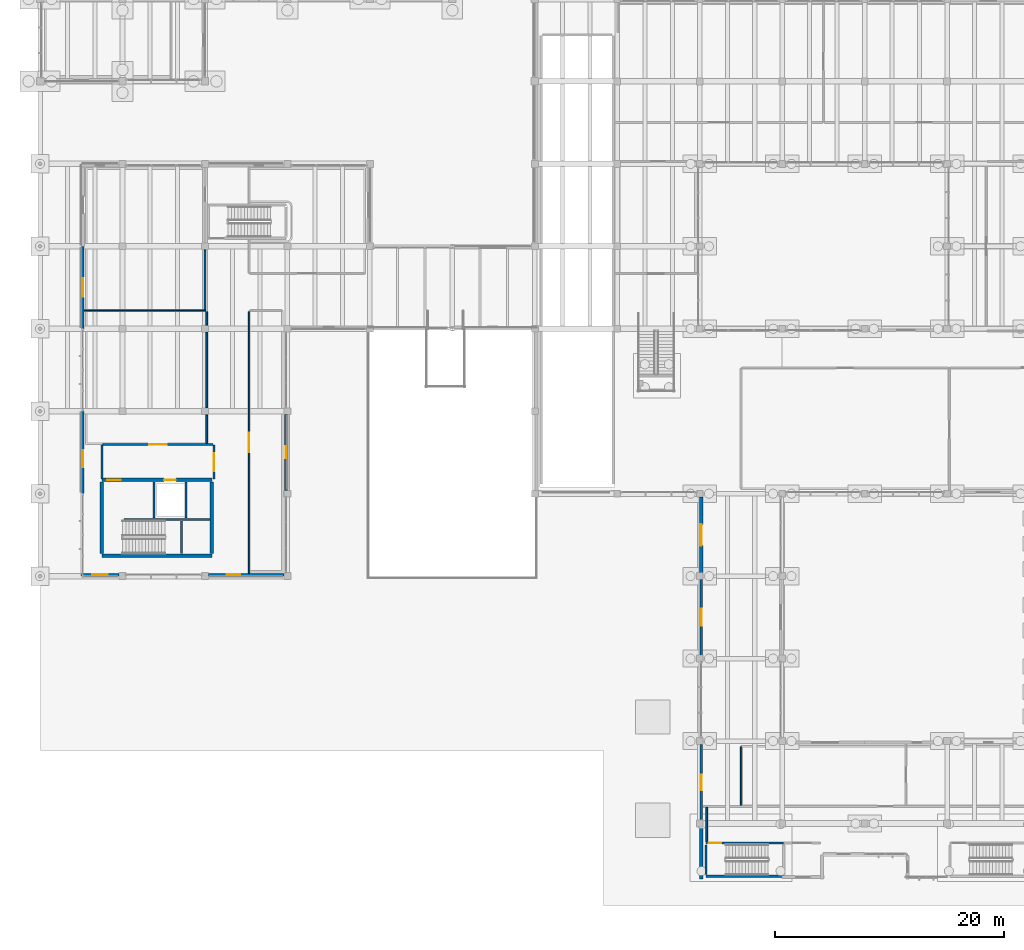
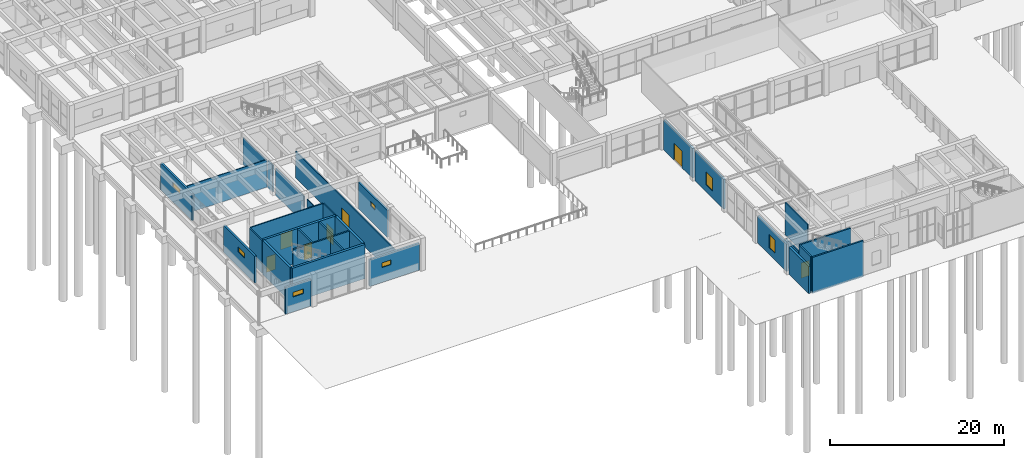
# One storey, part 117 of 155: 31 walls, 7 doors, 7 windows, 14 openings.
"""IFC4 building model written with IfcOpenShell, lengths in metres."""

from ifc_helpers import new_model, si_unit, direction, frame, frame_2d, origin, place, context, subcontext, project, spatial, rectangle, extrude, material, layer, layer_set, type_object, element, fill, save


model = new_model("IFC4")

# Units and contexts
model_context = context("Model", 3, precision=1e-05, world=origin(), true_north=direction((0.0, 1.0)))
body_context = subcontext(model_context, "Body", "Model", "MODEL_VIEW")
ifc_project = project(units=[si_unit("LENGTHUNIT", "METRE"), si_unit("AREAUNIT", "SQUARE_METRE"), si_unit("VOLUMEUNIT", "CUBIC_METRE"), si_unit("PLANEANGLEUNIT", "RADIAN"), si_unit("MASSUNIT", "GRAM", prefix="KILO")], contexts=[model_context])

# Site, building, storey
site_placement = place(None, origin())
site = spatial("IfcSite", under=ifc_project, at=site_placement, CompositionType="ELEMENT")
building_placement = place(site_placement, origin())
building = spatial("IfcBuilding", under=site, at=building_placement, Name="Bramvelor Terrace Health Centre", CompositionType="ELEMENT")
storey_placement = place(building_placement, origin())
storey = spatial("IfcBuildingStorey", under=building, at=storey_placement, Name="L01", CompositionType="ELEMENT", Elevation=0.0)

# Walls
ifc_material_1 = material(Name="Acoustic clinical partition board", Category="gypsum")
ifc_layer_1 = layer(ifc_material_1, 0.110107421875)
ifc_layer_set_1 = layer_set([ifc_layer_1], Name="Acoustic clinical partition board")
wall_type_1 = type_object("IfcWallType", Name="WL-CLN-110", PredefinedType="PARTITIONING", material=ifc_layer_set_1)
wall_1_placement = place(storey_placement, frame((3.864990234375, 51.989990234375, 0.0), z_axis=(0.0, 0.0, 1.0), x_axis=(1.0, 0.0, 0.0)))
element("IfcWall", 1, at=wall_1_placement, inside=storey, type_object=wall_type_1, Name="L01 Interior Partition 129", PredefinedType="PARTITIONING", context=body_context, shape_type="SweptSolid", body=[
    extrude(rectangle(XDim=10.60302734375, YDim=0.110107421875, at=frame_2d((5.301513671875, 0.0))), origin(), (0.0, 0.0, 1.0), 3.860107421875),
])
ifc_material_2 = material(Name="Fire-rated gypsum and mineral wool", Category="gypsum")
ifc_layer_2 = layer(ifc_material_2, 0.139892578125)
ifc_layer_set_2 = layer_set([ifc_layer_2], Name="Fire-rated gypsum and mineral wool")
wall_type_2 = type_object("IfcWallType", Name="WL-COR-140", PredefinedType="PARTITIONING", material=ifc_layer_set_2)
wall_2_placement = place(storey_placement, frame((61.2099609375, 8.793212890625, 0.0), z_axis=(0.0, 0.0, 1.0), x_axis=(0.0, 1.0, 0.0)))
element("IfcWall", 2, at=wall_2_placement, inside=storey, type_object=wall_type_2, Name="L01 Interior Partition 104", PredefinedType="PARTITIONING", context=body_context, shape_type="SweptSolid", body=[
    extrude(rectangle(XDim=5.11669921875, YDim=0.139892578125, at=frame_2d((2.558349609375, 0.0))), origin(), (0.0, 0.0, 1.0), 4.570068359375),
])
wall_3_placement = place(storey_placement, frame((14.55810546875, 51.89990234375, 0.0), z_axis=(0.0, 0.0, 1.0), x_axis=(0.0, -1.0, 0.0)))
element("IfcWall", 3, at=wall_3_placement, inside=storey, type_object=wall_type_2, Name="L01 Interior Partition 130", PredefinedType="PARTITIONING", context=body_context, shape_type="SweptSolid", body=[
    extrude(rectangle(XDim=1.184814453125, YDim=0.139892578125, at=frame_2d((0.59228515625, 0.0))), origin(), (0.0, 0.0, 1.0), 3.760009765625),
])
wall_4_placement = place(storey_placement, frame((14.55810546875, 50.0849609375, 0.0), z_axis=(0.0, 0.0, 1.0), x_axis=(0.0, -1.0, 0.0)))
element("IfcWall", 4, at=wall_4_placement, inside=storey, type_object=wall_type_2, Name="L01 Interior Partition 131", PredefinedType="PARTITIONING", context=body_context, shape_type="SweptSolid", body=[
    extrude(rectangle(XDim=6.570068359375, YDim=0.139892578125, at=frame_2d((3.28515625, 0.0))), origin(), (0.0, 0.0, 1.0), 3.760009765625),
])
wall_5_placement = place(storey_placement, frame((14.55810546875, 42.885009765625, 0.0), z_axis=(0.0, 0.0, 1.0), x_axis=(0.0, -1.0, 0.0)))
element("IfcWall", 5, at=wall_5_placement, inside=storey, type_object=wall_type_2, Name="L01 Interior Partition 132", PredefinedType="PARTITIONING", context=body_context, shape_type="SweptSolid", body=[
    extrude(rectangle(XDim=2.485107421875, YDim=0.139892578125, at=frame_2d((1.24267578125, 0.0))), origin(), (0.0, 0.0, 1.0), 3.760009765625),
])
wall_6_placement = place(storey_placement, frame((14.39990234375, 57.284912109375, 0.0), z_axis=(0.0, 0.0, 1.0), x_axis=(0.0, -1.0, 0.0)))
element("IfcWall", 6, at=wall_6_placement, inside=storey, type_object=wall_type_2, Name="L01 Interior Partition 134", PredefinedType="PARTITIONING", context=body_context, shape_type="SweptSolid", body=[
    extrude(rectangle(XDim=5.19482421875, YDim=0.139892578125, at=frame_2d((2.597412109375, 0.0))), origin(), (0.0, 0.0, 1.0), 3.760009765625),
])

# Wall, opening, door
wall_7_placement = place(storey_placement, frame((18.251953125, 29.06494140625, 0.0), z_axis=(0.0, 0.0, 1.0), x_axis=(0.0, 1.0, 0.0)))
wall_7 = element("IfcWall", 7, at=wall_7_placement, inside=storey, type_object=wall_type_2, Name="L01 Interior Partition 138", PredefinedType="PARTITIONING", context=body_context, shape_type="SweptSolid", body=[
    extrude(rectangle(XDim=22.8349609375, YDim=0.139892578125, at=frame_2d((11.41748046875, 0.0))), origin(), (0.0, 0.0, 1.0), 3.760009765625),
])
opening_1_placement = place(wall_7_placement, frame((10.5576171875, 0.0, 0.0)))
opening_1 = element("IfcOpeningElement", 8, at=opening_1_placement, cuts=wall_7, Name="Opening FD-04", PredefinedType="OPENING", context=body_context, shape_type="SweptSolid", body=[
    extrude(rectangle(XDim=1.719970703125, YDim=2.260009765625, at=frame_2d((0.85986328125, 1.1298828125))), frame((0.0, 0.079833984375, 0.0), z_axis=(0.0, -1.0, 0.0), x_axis=(1.0, 0.0, 0.0)), (0.0, 0.0, 1.0), 0.159912109375),
])
ifc_material_3 = material(Name="Fire-rated steel and vision panel", Category="steel")
door_type_1 = type_object("IfcDoorType", Name="DR-FD90-172", OperationType="DOUBLE_DOOR_SINGLE_SWING", PredefinedType="DOOR", material=ifc_material_3)
door_1_placement = place(opening_1_placement, origin())
door_1 = element("IfcDoor", 9, at=door_1_placement, inside=storey, type_object=door_type_1, Name="L01 Pharmacy Medication Counselling Room Fire Door", OperationType="DOUBLE_DOOR_SINGLE_SWING", OverallHeight=2.260009765625, OverallWidth=1.719970703125, PredefinedType="DOOR", context=body_context, shape_type="SweptSolid", body=[
    extrude(rectangle(XDim=1.719970703125, YDim=2.260009765625, at=frame_2d((0.85986328125, 1.1298828125))), frame((0.0, 0.02490234375, 0.0), z_axis=(0.0, -1.0, 0.0), x_axis=(1.0, 0.0, 0.0)), (0.0, 0.0, 1.0), 0.050048828125),
])
fill(opening_1, door_1)

# Walls
ifc_material_4 = material(Name="Concrete C40/50", Category="concrete")
ifc_layer_3 = layer(ifc_material_4, 0.199951171875)
ifc_layer_set_3 = layer_set([ifc_layer_3], Name="Concrete C40/50")
wall_type_3 = type_object("IfcWallType", Name="WL-CORE-200", PredefinedType="SHEAR", material=ifc_layer_set_3)
wall_8_placement = place(storey_placement, frame((7.35009765625, 33.75, 0.0), z_axis=(0.0, 0.0, 1.0), x_axis=(1.0, 0.0, 0.0)))
element("IfcWall", 10, at=wall_8_placement, inside=storey, type_object=wall_type_3, Name="C3 L01 Core Shear Wall", PredefinedType="SHEAR", context=body_context, shape_type="SweptSolid", body=[
    extrude(rectangle(XDim=7.469970703125, YDim=0.199951171875, at=frame_2d((3.73486328125, 0.0))), origin(), (0.0, 0.0, 1.0), 4.800048828125),
])
wall_9_placement = place(storey_placement, frame((12.35498046875, 30.780029296875, 0.0), z_axis=(0.0, 0.0, 1.0), x_axis=(0.0, 1.0, 0.0)))
element("IfcWall", 11, at=wall_9_placement, inside=storey, type_object=wall_type_3, Name="C3 L01 Core Shear Wall", PredefinedType="SHEAR", context=body_context, shape_type="SweptSolid", body=[
    extrude(rectangle(XDim=2.849853515625, YDim=0.199951171875, at=frame_2d((1.4248046875, 0.0))), origin(), (0.0, 0.0, 1.0), 4.800048828125),
])
for number, where, z_axis, x_axis, name in (
    (12, (9.949951171875, 33.8701171875, 0.0), (0.0, 0.0, 1.0), (0.0, 1.0, 0.0), "C3 L01 Core Shear Wall"),
    (13, (12.75, 33.8701171875, 0.0), (0.0, 0.0, 1.0), (0.0, 1.0, 0.0), "C3 L01 Lift Divider Wall"),
):
    element("IfcWall", number, at=place(storey_placement, frame(where, z_axis=z_axis, x_axis=x_axis)), inside=storey, type_object=wall_type_3, Name=name, PredefinedType="SHEAR", context=body_context, shape_type="SweptSolid", body=[
        extrude(rectangle(XDim=3.14990234375, YDim=0.199951171875, at=frame_2d((1.574951171875, 0.0))), origin(), (0.0, 0.0, 1.0), 4.800048828125),
    ])
wall_10_placement = place(storey_placement, frame((58.14990234375, 2.60009765625, -0.25), z_axis=(0.0, 0.0, 1.0), x_axis=(1.0, 0.0, 0.0)))
element("IfcWall", 14, at=wall_10_placement, inside=storey, type_object=wall_type_3, Name="ST-9 L01 Stair Shaft Wall", PredefinedType="SHEAR", context=body_context, shape_type="SweptSolid", body=[
    extrude(rectangle(XDim=6.775146484375, YDim=0.199951171875, at=frame_2d((3.3876953125, 0.0))), origin(), (0.0, 0.0, 1.0), 5.050048828125),
])

# Wall, opening, door
wall_11_placement = place(storey_placement, frame((58.14990234375, 5.5, -0.25), z_axis=(0.0, 0.0, 1.0), x_axis=(1.0, 0.0, 0.0)))
wall_11 = element("IfcWall", 15, at=wall_11_placement, inside=storey, type_object=wall_type_3, Name="ST-9 L01 Stair Shaft Wall", PredefinedType="SHEAR", context=body_context, shape_type="SweptSolid", body=[
    extrude(rectangle(XDim=6.775146484375, YDim=0.199951171875, at=frame_2d((3.3876953125, 0.0))), origin(), (0.0, 0.0, 1.0), 5.050048828125),
])
opening_2_placement = place(wall_11_placement, frame((0.219970703125, 0.0, 0.25)))
opening_2 = element("IfcOpeningElement", 16, at=opening_2_placement, cuts=wall_11, Name="Opening FD-06", PredefinedType="OPENING", context=body_context, shape_type="SweptSolid", body=[
    extrude(rectangle(XDim=1.1201171875, YDim=2.139892578125, at=frame_2d((0.56005859375, 1.06982421875))), frame((0.0, 0.10986328125, 0.0), z_axis=(0.0, -1.0, 0.0), x_axis=(1.0, 0.0, 0.0)), (0.0, 0.0, 1.0), 0.219970703125),
])
ifc_material_5 = material(Name="Fire-rated steel and vision panel", Category="steel")
door_type_2 = type_object("IfcDoorType", Name="DR-FD60-112", OperationType="NOTDEFINED", PredefinedType="DOOR", material=ifc_material_5)
door_2_placement = place(opening_2_placement, origin())
door_2 = element("IfcDoor", 17, at=door_2_placement, inside=storey, type_object=door_type_2, Name="ST-9 L01 Exit Stair Fire Door", OperationType="SINGLE_SWING_RIGHT", OverallHeight=2.139892578125, OverallWidth=1.1201171875, PredefinedType="DOOR", context=body_context, shape_type="SweptSolid", body=[
    extrude(rectangle(XDim=1.1201171875, YDim=2.139892578125, at=frame_2d((0.56005859375, 1.06982421875))), frame((0.0, 0.02490234375, 0.0), z_axis=(0.0, -1.0, 0.0), x_axis=(1.0, 0.0, 0.0)), (0.0, 0.0, 1.0), 0.050048828125),
])
fill(opening_2, door_2)

# Walls
wall_12_placement = place(storey_placement, frame((58.14990234375, 2.75, -0.25), z_axis=(0.0, 0.0, 1.0), x_axis=(0.0, 1.0, 0.0)))
element("IfcWall", 18, at=wall_12_placement, inside=storey, type_object=wall_type_3, Name="ST-9 L01 Stair Shaft Wall", PredefinedType="SHEAR", context=body_context, shape_type="SweptSolid", body=[
    extrude(rectangle(XDim=2.60009765625, YDim=0.199951171875, at=frame_2d((1.300048828125, 0.0))), origin(), (0.0, 0.0, 1.0), 5.050048828125),
])
ifc_material_6 = material(Name="Concrete C40/50", Category="concrete")
ifc_layer_4 = layer(ifc_material_6, 0.300048828125)
ifc_layer_set_4 = layer_set([ifc_layer_4], Name="Concrete C40/50")
wall_type_4 = type_object("IfcWallType", Name="WL-CORE-300", PredefinedType="SHEAR", material=ifc_layer_set_4)
wall_13_placement = place(storey_placement, frame((5.39990234375, 30.60009765625, 0.0), z_axis=(0.0, 0.0, 1.0), x_axis=(1.0, 0.0, 0.0)))
element("IfcWall", 19, at=wall_13_placement, inside=storey, type_object=wall_type_4, Name="C3 L01 Core Shear Wall", PredefinedType="SHEAR", context=body_context, shape_type="SweptSolid", body=[
    extrude(rectangle(XDim=9.60009765625, YDim=0.300048828125, at=frame_2d((4.800048828125, 0.0))), origin(), (0.0, 0.0, 1.0), 4.800048828125),
])

# Wall, openings, doors
wall_14_placement = place(storey_placement, frame((5.39990234375, 37.199951171875, 0.0), z_axis=(0.0, 0.0, 1.0), x_axis=(1.0, 0.0, 0.0)))
wall_14 = element("IfcWall", 20, at=wall_14_placement, inside=storey, type_object=wall_type_4, Name="C3 L01 Core Shear Wall", PredefinedType="SHEAR", context=body_context, shape_type="SweptSolid", body=[
    extrude(rectangle(XDim=9.60009765625, YDim=0.300048828125, at=frame_2d((4.800048828125, 0.0))), origin(), (0.0, 0.0, 1.0), 4.800048828125),
])
opening_3_placement = place(wall_14_placement, frame((0.449951171875, 0.0, 0.0)))
opening_3 = element("IfcOpeningElement", 21, at=opening_3_placement, cuts=wall_14, Name="Opening FD-02", PredefinedType="OPENING", context=body_context, shape_type="SweptSolid", body=[
    extrude(rectangle(XDim=1.179931640625, YDim=2.159912109375, at=frame_2d((0.58984375, 1.080078125))), frame((0.0, 0.159912109375, 0.0), z_axis=(0.0, -1.0, 0.0), x_axis=(1.0, 0.0, 0.0)), (0.0, 0.0, 1.0), 0.320068359375),
])
opening_4_placement = place(wall_14_placement, frame((5.43994140625, 0.0, 0.0)))
opening_4 = element("IfcOpeningElement", 22, at=opening_4_placement, cuts=wall_14, Name="Opening LD-2", PredefinedType="OPENING", context=body_context, shape_type="SweptSolid", body=[
    extrude(rectangle(XDim=1.02001953125, YDim=2.1201171875, at=frame_2d((0.510009765625, 1.06005859375))), frame((0.0, 0.159912109375, 0.0), z_axis=(0.0, -1.0, 0.0), x_axis=(1.0, 0.0, 0.0)), (0.0, 0.0, 1.0), 0.320068359375),
])
ifc_material_7 = material(Name="Fire-rated steel and vision panel", Category="steel")
door_type_3 = type_object("IfcDoorType", Name="DR-FD90-118", OperationType="NOTDEFINED", PredefinedType="DOOR", material=ifc_material_7)
door_3_placement = place(opening_3_placement, origin())
door_3 = element("IfcDoor", 23, at=door_3_placement, inside=storey, type_object=door_type_3, Name="C3 L01 Core Stair Fire Door", OperationType="SINGLE_SWING_LEFT", OverallHeight=2.159912109375, OverallWidth=1.179931640625, PredefinedType="DOOR", context=body_context, shape_type="SweptSolid", body=[
    extrude(rectangle(XDim=1.179931640625, YDim=2.159912109375, at=frame_2d((0.58984375, 1.080078125))), frame((0.0, 0.02490234375, 0.0), z_axis=(0.0, -1.0, 0.0), x_axis=(1.0, 0.0, 0.0)), (0.0, 0.0, 1.0), 0.050048828125),
])
fill(opening_3, door_3)
ifc_material_8 = material(Name="Brushed stainless steel 316", Category="steel")
door_type_4 = type_object("IfcDoorType", Name="DR-LIFT-PS102", OperationType="SLIDING_TO_LEFT", PredefinedType="DOOR", material=ifc_material_8)
door_4_placement = place(opening_4_placement, origin())
door_4 = element("IfcDoor", 24, at=door_4_placement, inside=storey, type_object=door_type_4, Name="Lift LP-03 L01 Sliding Landing Door", OperationType="SLIDING_TO_LEFT", OverallHeight=2.1201171875, OverallWidth=1.02001953125, PredefinedType="DOOR", context=body_context, shape_type="SweptSolid", body=[
    extrude(rectangle(XDim=1.02001953125, YDim=2.1201171875, at=frame_2d((0.510009765625, 1.06005859375))), frame((0.0, 0.02490234375, 0.0), z_axis=(0.0, -1.0, 0.0), x_axis=(1.0, 0.0, 0.0)), (0.0, 0.0, 1.0), 0.050048828125),
])
fill(opening_4, door_4)

# Walls
for number, where, z_axis, x_axis, name in (
    (25, (5.39990234375, 30.780029296875, 0.0), (0.0, 0.0, 1.0), (0.0, 1.0, 0.0), "C3 L01 Core Shear Wall"),
    (26, (15.0, 30.780029296875, 0.0), (0.0, 0.0, 1.0), (0.0, 1.0, 0.0), "C3 L01 Core Shear Wall"),
):
    element("IfcWall", number, at=place(storey_placement, frame(where, z_axis=z_axis, x_axis=x_axis)), inside=storey, type_object=wall_type_4, Name=name, PredefinedType="SHEAR", context=body_context, shape_type="SweptSolid", body=[
        extrude(rectangle(XDim=6.239990234375, YDim=0.300048828125, at=frame_2d((3.1201171875, 0.0))), origin(), (0.0, 0.0, 1.0), 4.800048828125),
    ])

# Wall, opening, window
ifc_material_9 = material(Name="Precast concrete C40/50", Category="concrete")
ifc_layer_5 = layer(ifc_material_9, 0.25)
ifc_layer_set_5 = layer_set([ifc_layer_5], Name="Precast concrete C40/50")
wall_type_5 = type_object("IfcWallType", Name="WL-EXT-RC250", PredefinedType="SOLIDWALL", material=ifc_layer_set_5)
wall_15_placement = place(storey_placement, frame((21.469970703125, 42.905029296875, 0.0), z_axis=(0.0, 0.0, 1.0), x_axis=(0.0, -1.0, 0.0)))
wall_15 = element("IfcWall", 27, at=wall_15_placement, inside=storey, type_object=wall_type_5, Name="L01 Exterior Facade Wall 7", PredefinedType="SOLIDWALL", context=body_context, shape_type="SweptSolid", body=[
    extrude(rectangle(XDim=6.610107421875, YDim=0.25, at=frame_2d((3.30517578125, 0.0))), origin(), (0.0, 0.0, 1.0), 3.760009765625),
])
opening_5_placement = place(wall_15_placement, frame((2.780029296875, 0.0, 2.10009765625)))
opening_5 = element("IfcOpeningElement", 28, at=opening_5_placement, cuts=wall_15, Name="Opening WN-03", PredefinedType="OPENING", context=body_context, shape_type="SweptSolid", body=[
    extrude(rectangle(XDim=1.050048828125, YDim=0.64990234375, at=frame_2d((0.52490234375, 0.324951171875))), frame((0.0, 0.135009765625, 0.0), z_axis=(0.0, -1.0, 0.0), x_axis=(1.0, 0.0, 0.0)), (0.0, 0.0, 1.0), 0.27001953125),
])
ifc_material_10 = material(Name="Double low-E laminated glass", Category="glass")
window_type_1 = type_object("IfcWindowType", Name="WIN-EXT-03", PartitioningType="SINGLE_PANEL", PredefinedType="WINDOW", material=ifc_material_10)
window_1_placement = place(opening_5_placement, origin())
window_1 = element("IfcWindow", 29, at=window_1_placement, inside=storey, type_object=window_type_1, Name="L01 Scheduled Clinical Window 3", OverallHeight=0.64990234375, OverallWidth=1.050048828125, PartitioningType="SINGLE_PANEL", PredefinedType="WINDOW", context=body_context, shape_type="SweptSolid", body=[
    extrude(rectangle(XDim=1.050048828125, YDim=0.64990234375, at=frame_2d((0.52490234375, 0.324951171875))), frame((0.0, 0.030029296875, 0.0), z_axis=(0.0, -1.0, 0.0), x_axis=(1.0, 0.0, 0.0)), (0.0, 0.0, 1.0), 0.06005859375),
])
fill(opening_5, window_1)

wall_16_placement = place(storey_placement, frame((21.304931640625, 28.929931640625, 0.0), z_axis=(0.0, 0.0, 1.0), x_axis=(-1.0, 0.0, 0.0)))
wall_16 = element("IfcWall", 30, at=wall_16_placement, inside=storey, type_object=wall_type_5, Name="L01 Exterior Facade Wall 9", PredefinedType="SOLIDWALL", context=body_context, shape_type="SweptSolid", body=[
    extrude(rectangle(XDim=6.60986328125, YDim=0.25, at=frame_2d((3.304931640625, 0.0))), origin(), (0.0, 0.0, 1.0), 3.760009765625),
])
opening_6_placement = place(wall_16_placement, frame((3.804931640625, 0.0, 2.10009765625)))
opening_6 = element("IfcOpeningElement", 31, at=opening_6_placement, cuts=wall_16, Name="Opening WN-04", PredefinedType="OPENING", context=body_context, shape_type="SweptSolid", body=[
    extrude(rectangle(XDim=1.199951171875, YDim=0.64990234375, at=frame_2d((0.60009765625, 0.324951171875))), frame((0.0, 0.135009765625, 0.0), z_axis=(0.0, -1.0, 0.0), x_axis=(1.0, 0.0, 0.0)), (0.0, 0.0, 1.0), 0.27001953125),
])
ifc_material_11 = material(Name="Double low-E laminated glass", Category="glass")
window_type_2 = type_object("IfcWindowType", Name="WIN-EXT-04", PartitioningType="SINGLE_PANEL", PredefinedType="WINDOW", material=ifc_material_11)
window_2_placement = place(opening_6_placement, origin())
window_2 = element("IfcWindow", 32, at=window_2_placement, inside=storey, type_object=window_type_2, Name="L01 Scheduled Clinical Window 4", OverallHeight=0.64990234375, OverallWidth=1.199951171875, PartitioningType="SINGLE_PANEL", PredefinedType="WINDOW", context=body_context, shape_type="SweptSolid", body=[
    extrude(rectangle(XDim=1.199951171875, YDim=0.64990234375, at=frame_2d((0.60009765625, 0.324951171875))), frame((0.0, 0.030029296875, 0.0), z_axis=(0.0, -1.0, 0.0), x_axis=(1.0, 0.0, 0.0)), (0.0, 0.0, 1.0), 0.06005859375),
])
fill(opening_6, window_2)

wall_17_placement = place(storey_placement, frame((6.905029296875, 28.929931640625, 0.0), z_axis=(0.0, 0.0, 1.0), x_axis=(-1.0, 0.0, 0.0)))
wall_17 = element("IfcWall", 33, at=wall_17_placement, inside=storey, type_object=wall_type_5, Name="L01 Exterior Facade Wall 11", PredefinedType="SOLIDWALL", context=body_context, shape_type="SweptSolid", body=[
    extrude(rectangle(XDim=3.344970703125, YDim=0.25, at=frame_2d((1.67236328125, 0.0))), origin(), (0.0, 0.0, 1.0), 3.760009765625),
])
opening_7_placement = place(wall_17_placement, frame((0.99755859375, 0.0, 2.10009765625)))
opening_7 = element("IfcOpeningElement", 34, at=opening_7_placement, cuts=wall_17, Name="Opening WN-05", PredefinedType="OPENING", context=body_context, shape_type="SweptSolid", body=[
    extrude(rectangle(XDim=1.35009765625, YDim=0.64990234375, at=frame_2d((0.675048828125, 0.324951171875))), frame((0.0, 0.135009765625, 0.0), z_axis=(0.0, -1.0, 0.0), x_axis=(1.0, 0.0, 0.0)), (0.0, 0.0, 1.0), 0.27001953125),
])
ifc_material_12 = material(Name="Double low-E laminated glass", Category="glass")
window_type_3 = type_object("IfcWindowType", Name="WIN-EXT-05", PartitioningType="SINGLE_PANEL", PredefinedType="WINDOW", material=ifc_material_12)
window_3_placement = place(opening_7_placement, origin())
window_3 = element("IfcWindow", 35, at=window_3_placement, inside=storey, type_object=window_type_3, Name="L01 Scheduled Clinical Window 5", OverallHeight=0.64990234375, OverallWidth=1.35009765625, PartitioningType="SINGLE_PANEL", PredefinedType="WINDOW", context=body_context, shape_type="SweptSolid", body=[
    extrude(rectangle(XDim=1.35009765625, YDim=0.64990234375, at=frame_2d((0.675048828125, 0.324951171875))), frame((0.0, 0.030029296875, 0.0), z_axis=(0.0, -1.0, 0.0), x_axis=(1.0, 0.0, 0.0)), (0.0, 0.0, 1.0), 0.06005859375),
])
fill(opening_7, window_3)

wall_18_placement = place(storey_placement, frame((3.72998046875, 36.0, 0.0), z_axis=(0.0, 0.0, 1.0), x_axis=(0.0, 1.0, 0.0)))
wall_18 = element("IfcWall", 36, at=wall_18_placement, inside=storey, type_object=wall_type_5, Name="L01 Exterior Facade Wall 13", PredefinedType="SOLIDWALL", context=body_context, shape_type="SweptSolid", body=[
    extrude(rectangle(XDim=7.199951171875, YDim=0.25, at=frame_2d((3.60009765625, 0.0))), origin(), (0.0, 0.0, 1.0), 3.760009765625),
])
opening_8_placement = place(wall_18_placement, frame((2.300048828125, 0.0, 2.10009765625)))
opening_8 = element("IfcOpeningElement", 37, at=opening_8_placement, cuts=wall_18, Name="Opening WN-06", PredefinedType="OPENING", context=body_context, shape_type="SweptSolid", body=[
    extrude(rectangle(XDim=1.5, YDim=0.64990234375, at=frame_2d((0.75, 0.324951171875))), frame((0.0, 0.135009765625, 0.0), z_axis=(0.0, -1.0, 0.0), x_axis=(1.0, 0.0, 0.0)), (0.0, 0.0, 1.0), 0.27001953125),
])
ifc_material_13 = material(Name="Double low-E laminated glass", Category="glass")
window_type_4 = type_object("IfcWindowType", Name="WIN-EXT-06", PartitioningType="SINGLE_PANEL", PredefinedType="WINDOW", material=ifc_material_13)
window_4_placement = place(opening_8_placement, origin())
window_4 = element("IfcWindow", 38, at=window_4_placement, inside=storey, type_object=window_type_4, Name="L01 Scheduled Clinical Window 6", OverallHeight=0.64990234375, OverallWidth=1.5, PartitioningType="SINGLE_PANEL", PredefinedType="WINDOW", context=body_context, shape_type="SweptSolid", body=[
    extrude(rectangle(XDim=1.5, YDim=0.64990234375, at=frame_2d((0.75, 0.324951171875))), frame((0.0, 0.030029296875, 0.0), z_axis=(0.0, -1.0, 0.0), x_axis=(1.0, 0.0, 0.0)), (0.0, 0.0, 1.0), 0.06005859375),
])
fill(opening_8, window_4)

wall_19_placement = place(storey_placement, frame((3.72998046875, 50.39990234375, 0.0), z_axis=(0.0, 0.0, 1.0), x_axis=(0.0, 1.0, 0.0)))
wall_19 = element("IfcWall", 39, at=wall_19_placement, inside=storey, type_object=wall_type_5, Name="L01 Exterior Facade Wall 15", PredefinedType="SOLIDWALL", context=body_context, shape_type="SweptSolid", body=[
    extrude(rectangle(XDim=7.2001953125, YDim=0.25, at=frame_2d((3.60009765625, 0.0))), origin(), (0.0, 0.0, 1.0), 3.760009765625),
])
opening_9_placement = place(wall_19_placement, frame((2.77490234375, 0.0, 2.10009765625)))
opening_9 = element("IfcOpeningElement", 40, at=opening_9_placement, cuts=wall_19, Name="Opening WN-07", PredefinedType="OPENING", context=body_context, shape_type="SweptSolid", body=[
    extrude(rectangle(XDim=1.64990234375, YDim=0.64990234375, at=frame_2d((0.824951171875, 0.324951171875))), frame((0.0, 0.135009765625, 0.0), z_axis=(0.0, -1.0, 0.0), x_axis=(1.0, 0.0, 0.0)), (0.0, 0.0, 1.0), 0.27001953125),
])
ifc_material_14 = material(Name="Double low-E laminated glass", Category="glass")
window_type_5 = type_object("IfcWindowType", Name="WIN-EXT-07", PartitioningType="SINGLE_PANEL", PredefinedType="WINDOW", material=ifc_material_14)
window_5_placement = place(opening_9_placement, origin())
window_5 = element("IfcWindow", 41, at=window_5_placement, inside=storey, type_object=window_type_5, Name="L01 Scheduled Clinical Window 7", OverallHeight=0.64990234375, OverallWidth=1.64990234375, PartitioningType="SINGLE_PANEL", PredefinedType="WINDOW", context=body_context, shape_type="SweptSolid", body=[
    extrude(rectangle(XDim=1.64990234375, YDim=0.64990234375, at=frame_2d((0.824951171875, 0.324951171875))), frame((0.0, 0.030029296875, 0.0), z_axis=(0.0, -1.0, 0.0), x_axis=(1.0, 0.0, 0.0)), (0.0, 0.0, 1.0), 0.06005859375),
])
fill(opening_9, window_5)

wall_20_placement = place(storey_placement, frame((57.72998046875, 7.4951171875, 0.0), z_axis=(0.0, 0.0, 1.0), x_axis=(0.0, 1.0, 0.0)))
wall_20 = element("IfcWall", 42, at=wall_20_placement, inside=storey, type_object=wall_type_5, Name="L01 Exterior Facade Wall 125", PredefinedType="SOLIDWALL", context=body_context, shape_type="SweptSolid", body=[
    extrude(rectangle(XDim=6.60986328125, YDim=0.25, at=frame_2d((3.304931640625, 0.0))), origin(), (0.0, 0.0, 1.0), 3.81494140625),
])
opening_10_placement = place(wall_20_placement, frame((2.6298828125, 0.0, 0.949951171875)))
opening_10 = element("IfcOpeningElement", 43, at=opening_10_placement, cuts=wall_20, Name="Opening WN-53", PredefinedType="OPENING", context=body_context, shape_type="SweptSolid", body=[
    extrude(rectangle(XDim=1.35009765625, YDim=1.85009765625, at=frame_2d((0.675048828125, 0.925048828125))), frame((0.0, 0.135009765625, 0.0), z_axis=(0.0, -1.0, 0.0), x_axis=(1.0, 0.0, 0.0)), (0.0, 0.0, 1.0), 0.27001953125),
])
ifc_material_15 = material(Name="Double low-E laminated glass", Category="glass")
window_type_6 = type_object("IfcWindowType", Name="WIN-EXT-53", PartitioningType="SINGLE_PANEL", PredefinedType="WINDOW", material=ifc_material_15)
window_6_placement = place(opening_10_placement, origin())
window_6 = element("IfcWindow", 44, at=window_6_placement, inside=storey, type_object=window_type_6, Name="L01 Scheduled Clinical Window 53", OverallHeight=1.85009765625, OverallWidth=1.35009765625, PartitioningType="SINGLE_PANEL", PredefinedType="WINDOW", context=body_context, shape_type="SweptSolid", body=[
    extrude(rectangle(XDim=1.35009765625, YDim=1.85009765625, at=frame_2d((0.675048828125, 0.925048828125))), frame((0.0, 0.030029296875, 0.0), z_axis=(0.0, -1.0, 0.0), x_axis=(1.0, 0.0, 0.0)), (0.0, 0.0, 1.0), 0.06005859375),
])
fill(opening_10, window_6)

wall_21_placement = place(storey_placement, frame((57.72998046875, 21.89501953125, 0.0), z_axis=(0.0, 0.0, 1.0), x_axis=(0.0, 1.0, 0.0)))
wall_21 = element("IfcWall", 45, at=wall_21_placement, inside=storey, type_object=wall_type_5, Name="L01 Exterior Facade Wall 127", PredefinedType="SOLIDWALL", context=body_context, shape_type="SweptSolid", body=[
    extrude(rectangle(XDim=6.60986328125, YDim=0.25, at=frame_2d((3.304931640625, 0.0))), origin(), (0.0, 0.0, 1.0), 4.173583984375),
])
opening_11_placement = place(wall_21_placement, frame((2.554931640625, 0.0, 0.949951171875)))
opening_11 = element("IfcOpeningElement", 46, at=opening_11_placement, cuts=wall_21, Name="Opening WN-54", PredefinedType="OPENING", context=body_context, shape_type="SweptSolid", body=[
    extrude(rectangle(XDim=1.5, YDim=1.85009765625, at=frame_2d((0.75, 0.925048828125))), frame((0.0, 0.135009765625, 0.0), z_axis=(0.0, -1.0, 0.0), x_axis=(1.0, 0.0, 0.0)), (0.0, 0.0, 1.0), 0.27001953125),
])
ifc_material_16 = material(Name="Double low-E laminated glass", Category="glass")
window_type_7 = type_object("IfcWindowType", Name="WIN-EXT-54", PartitioningType="SINGLE_PANEL", PredefinedType="WINDOW", material=ifc_material_16)
window_7_placement = place(opening_11_placement, origin())
window_7 = element("IfcWindow", 47, at=window_7_placement, inside=storey, type_object=window_type_7, Name="L01 Scheduled Clinical Window 54", OverallHeight=1.85009765625, OverallWidth=1.5, PartitioningType="SINGLE_PANEL", PredefinedType="WINDOW", context=body_context, shape_type="SweptSolid", body=[
    extrude(rectangle(XDim=1.5, YDim=1.85009765625, at=frame_2d((0.75, 0.925048828125))), frame((0.0, 0.030029296875, 0.0), z_axis=(0.0, -1.0, 0.0), x_axis=(1.0, 0.0, 0.0)), (0.0, 0.0, 1.0), 0.06005859375),
])
fill(opening_11, window_7)

# Wall
ifc_material_17 = material(Name="Precast concrete C40/50", Category="concrete")
ifc_layer_6 = layer(ifc_material_17, 0.280029296875)
ifc_layer_set_6 = layer_set([ifc_layer_6], Name="Precast concrete C40/50")
wall_type_6 = type_object("IfcWallType", Name="WL-EXT-RC280", PredefinedType="SOLIDWALL", material=ifc_layer_set_6)
wall_22_placement = place(storey_placement, frame((57.72998046875, 2.3798828125, 0.0), z_axis=(0.0, 0.0, 1.0), x_axis=(0.0, 1.0, 0.0)))
element("IfcWall", 48, at=wall_22_placement, inside=storey, type_object=wall_type_6, Name="L01 Exterior Facade Wall 124", PredefinedType="SOLIDWALL", context=body_context, shape_type="SweptSolid", body=[
    extrude(rectangle(XDim=4.525146484375, YDim=0.280029296875, at=frame_2d((2.2626953125, 0.0))), origin(), (0.0, 0.0, 1.0), 3.81494140625),
])

# Wall, opening, door
wall_23_placement = place(storey_placement, frame((57.72998046875, 29.094970703125, 0.0), z_axis=(0.0, 0.0, 1.0), x_axis=(0.0, 1.0, 0.0)))
wall_23 = element("IfcWall", 49, at=wall_23_placement, inside=storey, type_object=wall_type_6, Name="L01 Exterior Facade Wall 128", PredefinedType="SOLIDWALL", context=body_context, shape_type="SweptSolid", body=[
    extrude(rectangle(XDim=6.610107421875, YDim=0.280029296875, at=frame_2d((3.30517578125, 0.0))), origin(), (0.0, 0.0, 1.0), 4.153564453125),
])
opening_12_placement = place(wall_23_placement, frame((2.3798828125, 0.0, 0.0)))
opening_12 = element("IfcOpeningElement", 50, at=opening_12_placement, cuts=wall_23, Name="Opening ED-04", PredefinedType="OPENING", context=body_context, shape_type="SweptSolid", body=[
    extrude(rectangle(XDim=1.85009765625, YDim=2.35009765625, at=frame_2d((0.925048828125, 1.175048828125))), frame((0.0, 0.14990234375, 0.0), z_axis=(0.0, -1.0, 0.0), x_axis=(1.0, 0.0, 0.0)), (0.0, 0.0, 1.0), 0.300048828125),
])
ifc_material_18 = material(Name="Anodized aluminium and laminated glass", Category="aluminium")
door_type_5 = type_object("IfcDoorType", Name="DR-EXT-AMB-185", OperationType="DOUBLE_DOOR_SINGLE_SWING", PredefinedType="DOOR", material=ifc_material_18)
door_5_placement = place(opening_12_placement, origin())
door_5 = element("IfcDoor", 51, at=door_5_placement, inside=storey, type_object=door_type_5, Name="L01 Exterior Door 11", OperationType="DOUBLE_DOOR_SINGLE_SWING", OverallHeight=2.35009765625, OverallWidth=1.85009765625, PredefinedType="DOOR", context=body_context, shape_type="SweptSolid", body=[
    extrude(rectangle(XDim=1.85009765625, YDim=2.35009765625, at=frame_2d((0.925048828125, 1.175048828125))), frame((0.0, 0.02490234375, 0.0), z_axis=(0.0, -1.0, 0.0), x_axis=(1.0, 0.0, 0.0)), (0.0, 0.0, 1.0), 0.050048828125),
])
fill(opening_12, door_5)

ifc_material_19 = material(Name="Fire-rated gypsum and mineral wool", Category="gypsum")
ifc_layer_7 = layer(ifc_material_19, 0.14990234375)
ifc_layer_set_7 = layer_set([ifc_layer_7], Name="Fire-rated gypsum and mineral wool")
wall_type_7 = type_object("IfcWallType", Name="WL-FIR-150", PredefinedType="PARTITIONING", material=ifc_layer_set_7)
wall_24_placement = place(storey_placement, frame((15.18994140625, 40.2099609375, 0.0), z_axis=(0.0, 0.0, 1.0), x_axis=(0.0, -1.0, 0.0)))
wall_24 = element("IfcWall", 52, at=wall_24_placement, inside=storey, type_object=wall_type_7, Name="L01 Interior Partition 52", PredefinedType="PARTITIONING", context=body_context, shape_type="SweptSolid", body=[
    extrude(rectangle(XDim=2.919921875, YDim=0.14990234375, at=frame_2d((1.4599609375, 0.0))), origin(), (0.0, 0.0, 1.0), 4.570068359375),
])
opening_13_placement = place(wall_24_placement, frame((0.679931640625, 0.0, 0.0)))
opening_13 = element("IfcOpeningElement", 53, at=opening_13_placement, cuts=wall_24, Name="Opening FD-03", PredefinedType="OPENING", context=body_context, shape_type="SweptSolid", body=[
    extrude(rectangle(XDim=1.56005859375, YDim=2.219970703125, at=frame_2d((0.780029296875, 1.10986328125))), frame((0.0, 0.0849609375, 0.0), z_axis=(0.0, -1.0, 0.0), x_axis=(1.0, 0.0, 0.0)), (0.0, 0.0, 1.0), 0.169921875),
])
ifc_material_20 = material(Name="Fire-rated steel and vision panel", Category="steel")
door_type_6 = type_object("IfcDoorType", Name="DR-FD90-156", OperationType="DOUBLE_DOOR_SINGLE_SWING", PredefinedType="DOOR", material=ifc_material_20)
door_6_placement = place(opening_13_placement, origin())
door_6 = element("IfcDoor", 54, at=door_6_placement, inside=storey, type_object=door_type_6, Name="L01 Fire Compartment Lobby Door 21", OperationType="DOUBLE_DOOR_SINGLE_SWING", OverallHeight=2.219970703125, OverallWidth=1.56005859375, PredefinedType="DOOR", context=body_context, shape_type="SweptSolid", body=[
    extrude(rectangle(XDim=1.56005859375, YDim=2.219970703125, at=frame_2d((0.780029296875, 1.10986328125))), frame((0.0, 0.02490234375, 0.0), z_axis=(0.0, -1.0, 0.0), x_axis=(1.0, 0.0, 0.0)), (0.0, 0.0, 1.0), 0.050048828125),
])
fill(opening_13, door_6)

# Wall
wall_25_placement = place(storey_placement, frame((5.39990234375, 37.294921875, 0.0), z_axis=(0.0, 0.0, 1.0), x_axis=(0.0, 1.0, 0.0)))
element("IfcWall", 55, at=wall_25_placement, inside=storey, type_object=wall_type_7, Name="L01 Interior Partition 53", PredefinedType="PARTITIONING", context=body_context, shape_type="SweptSolid", body=[
    extrude(rectangle(XDim=2.9150390625, YDim=0.14990234375, at=frame_2d((1.45751953125, 0.0))), origin(), (0.0, 0.0, 1.0), 4.570068359375),
])

# Wall, opening, door
wall_26_placement = place(storey_placement, frame((5.489990234375, 40.300048828125, 0.0), z_axis=(0.0, 0.0, 1.0), x_axis=(1.0, 0.0, 0.0)))
wall_26 = element("IfcWall", 56, at=wall_26_placement, inside=storey, type_object=wall_type_7, Name="L01 Interior Partition 54", PredefinedType="PARTITIONING", context=body_context, shape_type="SweptSolid", body=[
    extrude(rectangle(XDim=9.610107421875, YDim=0.14990234375, at=frame_2d((4.80517578125, 0.0))), origin(), (0.0, 0.0, 1.0), 4.570068359375),
])
opening_14_placement = place(wall_26_placement, frame((4.02490234375, 0.0, 0.0)))
opening_14 = element("IfcOpeningElement", 57, at=opening_14_placement, cuts=wall_26, Name="Opening FD-03", PredefinedType="OPENING", context=body_context, shape_type="SweptSolid", body=[
    extrude(rectangle(XDim=1.56005859375, YDim=2.219970703125, at=frame_2d((0.780029296875, 1.10986328125))), frame((0.0, 0.0849609375, 0.0), z_axis=(0.0, -1.0, 0.0), x_axis=(1.0, 0.0, 0.0)), (0.0, 0.0, 1.0), 0.169921875),
])
door_7_placement = place(opening_14_placement, origin())
door_7 = element("IfcDoor", 58, at=door_7_placement, inside=storey, type_object=door_type_6, Name="L01 Outpatient Pharmacy Dispensary Fire Door", OperationType="DOUBLE_DOOR_SINGLE_SWING", OverallHeight=2.219970703125, OverallWidth=1.56005859375, PredefinedType="DOOR", context=body_context, shape_type="SweptSolid", body=[
    extrude(rectangle(XDim=1.56005859375, YDim=2.219970703125, at=frame_2d((0.780029296875, 1.10986328125))), frame((0.0, 0.02490234375, 0.0), z_axis=(0.0, -1.0, 0.0), x_axis=(1.0, 0.0, 0.0)), (0.0, 0.0, 1.0), 0.050048828125),
])
fill(opening_14, door_7)

# Wall
wall_27_placement = place(storey_placement, frame((58.199951171875, 5.594970703125, 0.0), z_axis=(0.0, 0.0, 1.0), x_axis=(0.0, 1.0, 0.0)))
element("IfcWall", 59, at=wall_27_placement, inside=storey, type_object=wall_type_7, Name="L01 Interior Partition 59", PredefinedType="PARTITIONING", context=body_context, shape_type="SweptSolid", body=[
    extrude(rectangle(XDim=3.012939453125, YDim=0.14990234375, at=frame_2d((1.50634765625, 0.0))), origin(), (0.0, 0.0, 1.0), 3.81494140625),
])

save(model, "model.ifc")
